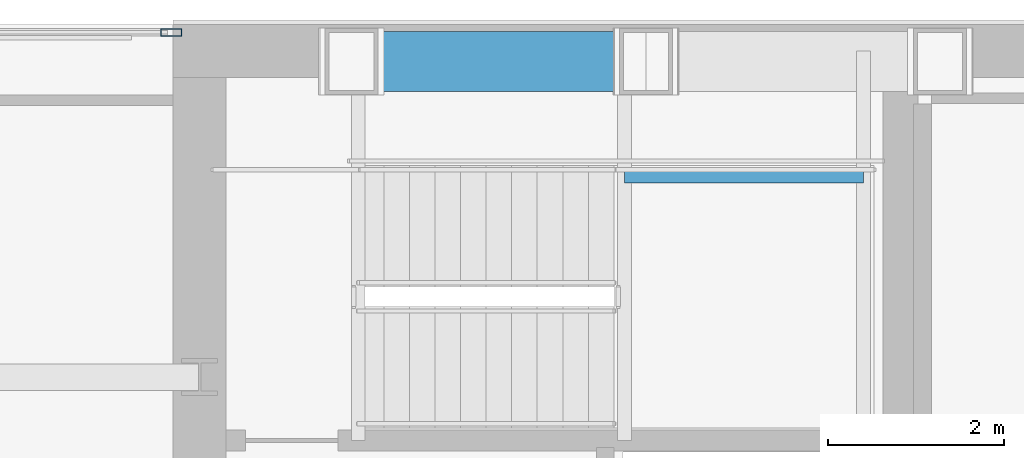
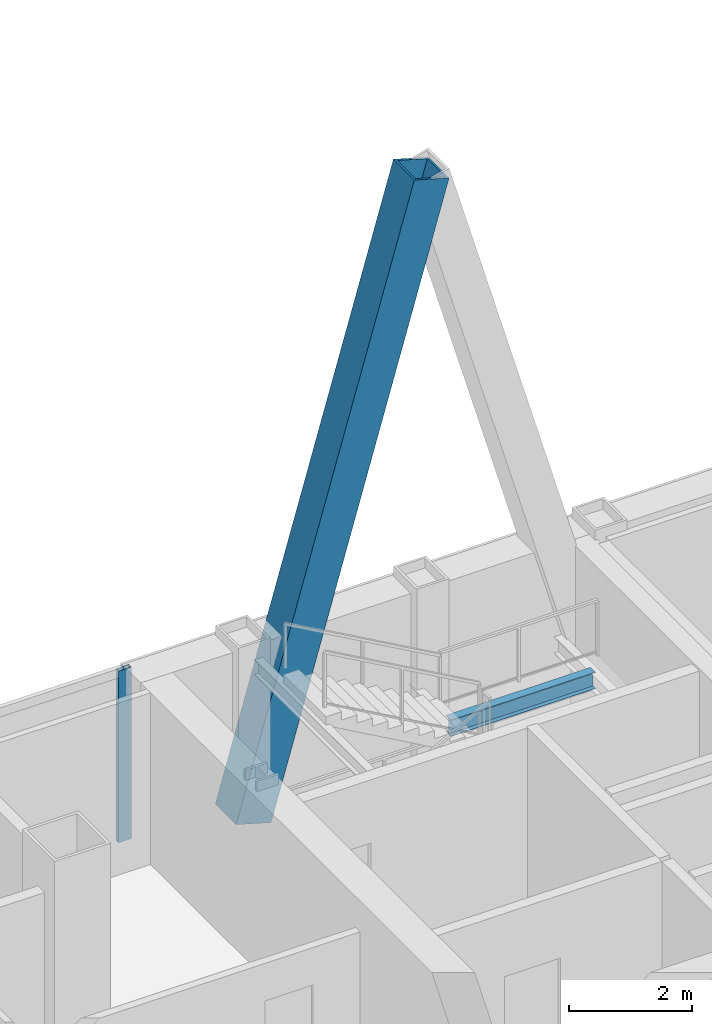
# One storey, part 22 of 31: 2 members, 1 beam, 1 element without a shape of its own.
"""IFC4 building model written with IfcOpenShell, lengths in metres."""

from ifc_helpers import new_model, si_unit, direction, frame, origin, origin_2d, place, context, subcontext, project, spatial, hollow_rectangle, i_section, extrude, material, material_profile, profile_set, type_object, element, aggregate, save


model = new_model("IFC4")

# Units and contexts
model_context = context("Model", 3, precision=1e-05, world=origin(), true_north=direction((0.0, 1.0)))
body_context = subcontext(model_context, "Body", "Model", "MODEL_VIEW")
ifc_project = project(units=[si_unit("LENGTHUNIT", "METRE"), si_unit("AREAUNIT", "SQUARE_METRE"), si_unit("VOLUMEUNIT", "CUBIC_METRE"), si_unit("PLANEANGLEUNIT", "RADIAN"), si_unit("MASSUNIT", "GRAM", prefix="KILO")], contexts=[model_context])

# Site, building, storey
site_placement = place(None, origin())
site = spatial("IfcSite", under=ifc_project, at=site_placement, CompositionType="ELEMENT")
building_placement = place(site_placement, origin())
building = spatial("IfcBuilding", under=site, at=building_placement, Name="Khoronbel Lancet Exchange", CompositionType="ELEMENT")
storey_placement = place(building_placement, frame((0.0, 0.0, 261.800048828125)))
storey = spatial("IfcBuildingStorey", under=building, at=storey_placement, Name="L67", CompositionType="ELEMENT", Elevation=261.800048828125)

# Beam
ifc_material_1 = material(Name="Steel S355", Category="steel")
ifc_material_profile_1 = material_profile(ifc_material_1, i_section(OverallWidth=0.159912109375, OverallDepth=0.330078125, WebThickness=0.007568359375, FlangeThickness=0.011474609375, at=origin_2d()), Name="IPE 330")
ifc_profile_set_1 = profile_set([ifc_material_profile_1], Name="Steel S355")
beam_type = type_object("IfcBeamType", Name="BM-BJ7", PredefinedType="JOIST", material=ifc_profile_set_1)
beam_placement = place(storey_placement, frame((21.320068359375, 51.97998046875, 1.43505859375), z_axis=(1.0, 0.0, 0.0), x_axis=(0.0, 1.0, 0.0)))
element("IfcBeam", 1, at=beam_placement, inside=storey, type_object=beam_type, Name="Level L67 stair ST1 landing cross trimmer beam 1", PredefinedType="JOIST", context=body_context, shape_type="SweptSolid", body=[
    extrude(i_section(OverallWidth=0.159912109375, OverallDepth=0.330078125, WebThickness=0.007568359375, FlangeThickness=0.011474609375, at=origin_2d()), origin(), (0.0, 0.0, 1.0), 2.7099609375),
])

# Curtain wall, member
ifc_material_2 = material(Name="Low-E Solar Control Insulating Glass", Category="glass")
curtain_wall_type = type_object("IfcCurtainWallType", Name="CW-3", PredefinedType="NOTDEFINED", material=ifc_material_2)
curtain_wall_placement = place(storey_placement, origin())
curtain_wall = element("IfcCurtainWall", 2, at=curtain_wall_placement, inside=storey, type_object=curtain_wall_type, Name="Unitised curtain wall CW-L67-NWFLK", PredefinedType="NOTDEFINED")
ifc_material_3 = material(Name="Bronze-Anodised Aluminium 6063-T6", Category="aluminium")
ifc_material_profile_2 = material_profile(ifc_material_3, hollow_rectangle(XDim=0.0849609375, YDim=0.239990234375, WallThickness=0.006103515625, at=origin_2d()), Name="ALU MULLION 85x240")
ifc_profile_set_2 = profile_set([ifc_material_profile_2], Name="Bronze-Anodised Aluminium 6063-T6")
member_type_1 = type_object("IfcMemberType", Name="MEM-CWM1", PredefinedType="MULLION", material=ifc_profile_set_2)
member_1_placement = place(storey_placement, frame((16.177490234375, 53.610107421875, 0.0), z_axis=(0.0, 0.0, 1.0), x_axis=(0.0, -1.0, 0.0)))
member_1 = element("IfcMember", 3, at=member_1_placement, type_object=member_type_1, Name="CW3 mullion 1", PredefinedType="MULLION", context=body_context, shape_type="SweptSolid", body=[
    extrude(hollow_rectangle(XDim=0.0849609375, YDim=0.239990234375, WallThickness=0.006103515625, at=origin_2d()), origin(), (0.0, 0.0, 1.0), 3.39990234375),
])
aggregate(curtain_wall, [member_1])

# Member
ifc_material_4 = material(Name="Steel S460", Category="steel")
ifc_material_profile_3 = material_profile(ifc_material_4, hollow_rectangle(XDim=0.679931640625, YDim=0.679931640625, WallThickness=0.044921875, at=origin_2d()), Name="BOX 680x680x45")
ifc_profile_set_3 = profile_set([ifc_material_profile_3], Name="Steel S460")
member_type_2 = type_object("IfcMemberType", Name="MEM-MB3", PredefinedType="BRACE", material=ifc_profile_set_3)
member_2_placement = place(storey_placement, frame((18.22509765625, 53.280029296875, 0.0), z_axis=(0.276494474889, 0.0, 0.961015507344), x_axis=(0.0, 1.0, 0.0)))
element("IfcMember", 4, at=member_2_placement, inside=storey, type_object=member_type_2, Name="Perimeter lancet brace tier 23 N-W-L", PredefinedType="BRACE", context=body_context, shape_type="SweptSolid", body=[
    extrude(hollow_rectangle(XDim=0.679931640625, YDim=0.679931640625, WallThickness=0.044921875, at=origin_2d()), origin(), (0.0, 0.0, 1.0), 12.0703125),
])

save(model, "model.ifc")
